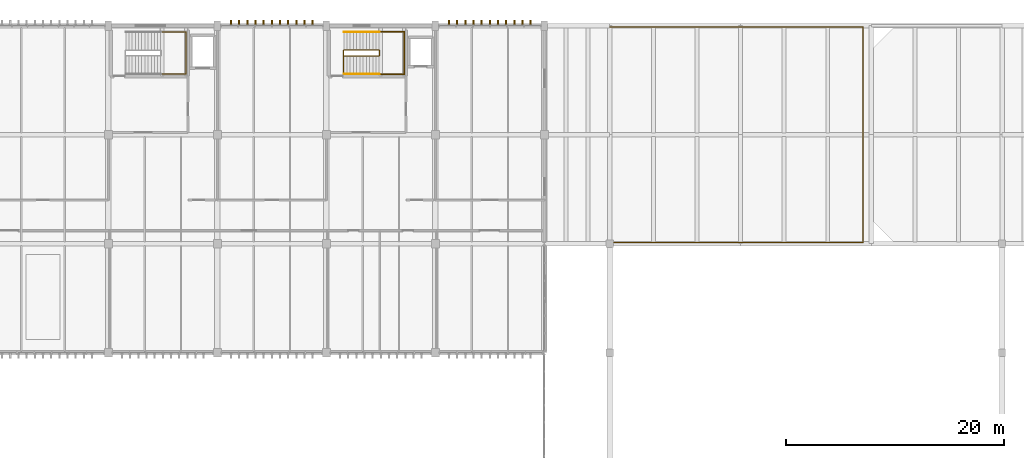
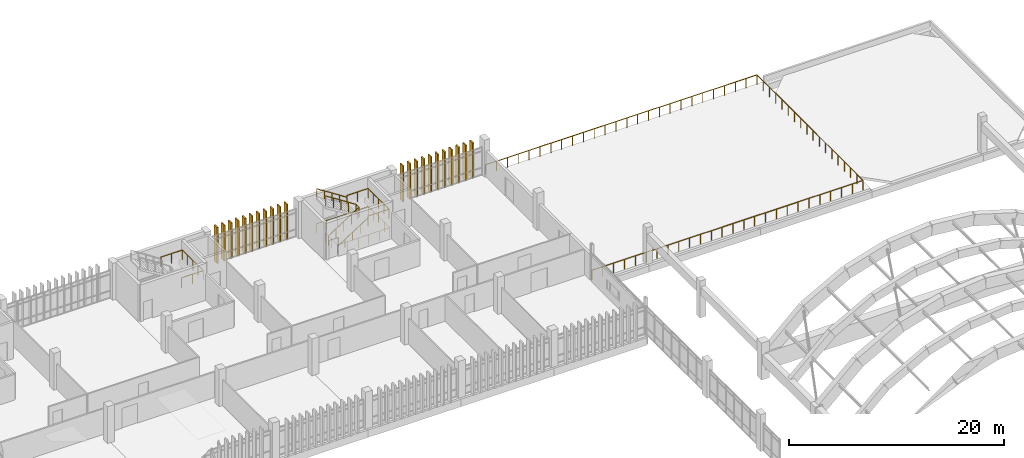
# One storey, part 111 of 111: 22 shading devices, 7 railings.
"""IFC4 building model written with IfcOpenShell, lengths in metres."""

from ifc_helpers import new_model, si_unit, direction, frame, origin, origin_2d, place, context, subcontext, project, spatial, rectangle, circle, extrude, material, type_object, element, save


model = new_model("IFC4")

# Units and contexts
model_context = context("Model", 3, precision=1e-05, world=origin(), true_north=direction((0.0, 1.0)))
body_context = subcontext(model_context, "Body", "Model", "MODEL_VIEW")
ifc_project = project(units=[si_unit("LENGTHUNIT", "METRE"), si_unit("AREAUNIT", "SQUARE_METRE"), si_unit("VOLUMEUNIT", "CUBIC_METRE"), si_unit("PLANEANGLEUNIT", "RADIAN"), si_unit("MASSUNIT", "GRAM", prefix="KILO")], contexts=[model_context])

# Site, building, storey
site_placement = place(None, origin())
site = spatial("IfcSite", under=ifc_project, at=site_placement, CompositionType="ELEMENT")
building_placement = place(site_placement, origin())
building = spatial("IfcBuilding", under=site, at=building_placement, Name="Mersad Railyard Sports Hall", CompositionType="ELEMENT")
storey_placement = place(building_placement, frame((0.0, 0.0, 9.0)))
storey = spatial("IfcBuildingStorey", under=building, at=storey_placement, Name="L02", CompositionType="ELEMENT", Elevation=9.0)

# Railings
ifc_material_1 = material(Name="Steel S355", Category="steel")
railing_type_1 = type_object("IfcRailingType", Name="ARC-RL-GR01", PredefinedType="GUARDRAIL", material=ifc_material_1)
railing_1_placement = place(storey_placement, frame((131.050048828125, 114.89990234375, 0.0)))
element("IfcRailing", 1, at=railing_1_placement, inside=storey, type_object=railing_type_1, Name="Perimeter guard GR01-0005", PredefinedType="GUARDRAIL", context=body_context, shape_type="SweptSolid", body=[
    extrude(circle(Radius=0.02392578125, at=origin_2d()), frame((0.0, 0.0, 1.09619140625), z_axis=(1.0, 0.0, 0.0), x_axis=(0.0, 1.0, 0.0)), (0.0, 0.0, 1.0), 29.199951171875),
    extrude(circle(Radius=0.02392578125, at=origin_2d()), frame((29.199951171875, 0.0, 1.09619140625), z_axis=(0.0, -1.0, 0.0), x_axis=(1.0, 0.0, 0.0)), (0.0, 0.0, 1.0), 19.7998046875),
    extrude(circle(Radius=0.02392578125, at=origin_2d()), frame((29.199951171875, -19.7998046875, 1.09619140625), z_axis=(-1.0, 0.0, 0.0), x_axis=(0.0, -1.0, 0.0)), (0.0, 0.0, 1.0), 29.199951171875),
    extrude(circle(Radius=0.02099609375, at=origin_2d()), origin(), (0.0, 0.0, 1.0), 1.072021484375),
    extrude(circle(Radius=0.02099609375, at=origin_2d()), frame((1.16796875, 0.0, 0.0)), (0.0, 0.0, 1.0), 1.072021484375),
    extrude(circle(Radius=0.02099609375, at=origin_2d()), frame((2.3359375, 0.0, 0.0)), (0.0, 0.0, 1.0), 1.072021484375),
    extrude(circle(Radius=0.02099609375, at=origin_2d()), frame((3.50390625, 0.0, 0.0)), (0.0, 0.0, 1.0), 1.072021484375),
    extrude(circle(Radius=0.02099609375, at=origin_2d()), frame((4.671875, 0.0, 0.0)), (0.0, 0.0, 1.0), 1.072021484375),
    extrude(circle(Radius=0.02099609375, at=origin_2d()), frame((5.840087890625, 0.0, 0.0)), (0.0, 0.0, 1.0), 1.072021484375),
    extrude(circle(Radius=0.02099609375, at=origin_2d()), frame((7.008056640625, 0.0, 0.0)), (0.0, 0.0, 1.0), 1.072021484375),
    extrude(circle(Radius=0.02099609375, at=origin_2d()), frame((8.176025390625, 0.0, 0.0)), (0.0, 0.0, 1.0), 1.072021484375),
    extrude(circle(Radius=0.02099609375, at=origin_2d()), frame((9.343994140625, 0.0, 0.0)), (0.0, 0.0, 1.0), 1.072021484375),
    extrude(circle(Radius=0.02099609375, at=origin_2d()), frame((10.511962890625, 0.0, 0.0)), (0.0, 0.0, 1.0), 1.072021484375),
    extrude(circle(Radius=0.02099609375, at=origin_2d()), frame((11.679931640625, 0.0, 0.0)), (0.0, 0.0, 1.0), 1.072021484375),
    extrude(circle(Radius=0.02099609375, at=origin_2d()), frame((12.847900390625, 0.0, 0.0)), (0.0, 0.0, 1.0), 1.072021484375),
    extrude(circle(Radius=0.02099609375, at=origin_2d()), frame((14.015869140625, 0.0, 0.0)), (0.0, 0.0, 1.0), 1.072021484375),
    extrude(circle(Radius=0.02099609375, at=origin_2d()), frame((15.18408203125, 0.0, 0.0)), (0.0, 0.0, 1.0), 1.072021484375),
    extrude(circle(Radius=0.02099609375, at=origin_2d()), frame((16.35205078125, 0.0, 0.0)), (0.0, 0.0, 1.0), 1.072021484375),
    extrude(circle(Radius=0.02099609375, at=origin_2d()), frame((17.52001953125, 0.0, 0.0)), (0.0, 0.0, 1.0), 1.072021484375),
    extrude(circle(Radius=0.02099609375, at=origin_2d()), frame((18.68798828125, 0.0, 0.0)), (0.0, 0.0, 1.0), 1.072021484375),
    extrude(circle(Radius=0.02099609375, at=origin_2d()), frame((19.85595703125, 0.0, 0.0)), (0.0, 0.0, 1.0), 1.072021484375),
    extrude(circle(Radius=0.02099609375, at=origin_2d()), frame((21.02392578125, 0.0, 0.0)), (0.0, 0.0, 1.0), 1.072021484375),
    extrude(circle(Radius=0.02099609375, at=origin_2d()), frame((22.19189453125, 0.0, 0.0)), (0.0, 0.0, 1.0), 1.072021484375),
    extrude(circle(Radius=0.02099609375, at=origin_2d()), frame((23.35986328125, 0.0, 0.0)), (0.0, 0.0, 1.0), 1.072021484375),
    extrude(circle(Radius=0.02099609375, at=origin_2d()), frame((24.528076171875, 0.0, 0.0)), (0.0, 0.0, 1.0), 1.072021484375),
    extrude(circle(Radius=0.02099609375, at=origin_2d()), frame((25.696044921875, 0.0, 0.0)), (0.0, 0.0, 1.0), 1.072021484375),
    extrude(circle(Radius=0.02099609375, at=origin_2d()), frame((26.864013671875, 0.0, 0.0)), (0.0, 0.0, 1.0), 1.072021484375),
    extrude(circle(Radius=0.02099609375, at=origin_2d()), frame((28.031982421875, 0.0, 0.0)), (0.0, 0.0, 1.0), 1.072021484375),
    extrude(circle(Radius=0.02099609375, at=origin_2d()), frame((29.199951171875, 0.0, 0.0)), (0.0, 0.0, 1.0), 1.072021484375),
    extrude(circle(Radius=0.02099609375, at=origin_2d()), frame((29.199951171875, -1.164794921875, 0.0)), (0.0, 0.0, 1.0), 1.072021484375),
    extrude(circle(Radius=0.02099609375, at=origin_2d()), frame((29.199951171875, -2.329345703125, 0.0)), (0.0, 0.0, 1.0), 1.072021484375),
    extrude(circle(Radius=0.02099609375, at=origin_2d()), frame((29.199951171875, -3.494140625, 0.0)), (0.0, 0.0, 1.0), 1.072021484375),
    extrude(circle(Radius=0.02099609375, at=origin_2d()), frame((29.199951171875, -4.65869140625, 0.0)), (0.0, 0.0, 1.0), 1.072021484375),
    extrude(circle(Radius=0.02099609375, at=origin_2d()), frame((29.199951171875, -5.823486328125, 0.0)), (0.0, 0.0, 1.0), 1.072021484375),
    extrude(circle(Radius=0.02099609375, at=origin_2d()), frame((29.199951171875, -6.98828125, 0.0)), (0.0, 0.0, 1.0), 1.072021484375),
    extrude(circle(Radius=0.02099609375, at=origin_2d()), frame((29.199951171875, -8.15283203125, 0.0)), (0.0, 0.0, 1.0), 1.072021484375),
    extrude(circle(Radius=0.02099609375, at=origin_2d()), frame((29.199951171875, -9.317626953125, 0.0)), (0.0, 0.0, 1.0), 1.072021484375),
    extrude(circle(Radius=0.02099609375, at=origin_2d()), frame((29.199951171875, -10.482177734375, 0.0)), (0.0, 0.0, 1.0), 1.072021484375),
    extrude(circle(Radius=0.02099609375, at=origin_2d()), frame((29.199951171875, -11.64697265625, 0.0)), (0.0, 0.0, 1.0), 1.072021484375),
    extrude(circle(Radius=0.02099609375, at=origin_2d()), frame((29.199951171875, -12.8115234375, 0.0)), (0.0, 0.0, 1.0), 1.072021484375),
    extrude(circle(Radius=0.02099609375, at=origin_2d()), frame((29.199951171875, -13.976318359375, 0.0)), (0.0, 0.0, 1.0), 1.072021484375),
    extrude(circle(Radius=0.02099609375, at=origin_2d()), frame((29.199951171875, -15.14111328125, 0.0)), (0.0, 0.0, 1.0), 1.072021484375),
    extrude(circle(Radius=0.02099609375, at=origin_2d()), frame((29.199951171875, -16.3056640625, 0.0)), (0.0, 0.0, 1.0), 1.072021484375),
    extrude(circle(Radius=0.02099609375, at=origin_2d()), frame((29.199951171875, -17.470458984375, 0.0)), (0.0, 0.0, 1.0), 1.072021484375),
    extrude(circle(Radius=0.02099609375, at=origin_2d()), frame((29.199951171875, -18.635009765625, 0.0)), (0.0, 0.0, 1.0), 1.072021484375),
    extrude(circle(Radius=0.02099609375, at=origin_2d()), frame((29.199951171875, -19.7998046875, 0.0)), (0.0, 0.0, 1.0), 1.072021484375),
    extrude(circle(Radius=0.02099609375, at=origin_2d()), frame((28.031982421875, -19.7998046875, 0.0)), (0.0, 0.0, 1.0), 1.072021484375),
    extrude(circle(Radius=0.02099609375, at=origin_2d()), frame((26.864013671875, -19.7998046875, 0.0)), (0.0, 0.0, 1.0), 1.072021484375),
    extrude(circle(Radius=0.02099609375, at=origin_2d()), frame((25.696044921875, -19.7998046875, 0.0)), (0.0, 0.0, 1.0), 1.072021484375),
    extrude(circle(Radius=0.02099609375, at=origin_2d()), frame((24.528076171875, -19.7998046875, 0.0)), (0.0, 0.0, 1.0), 1.072021484375),
    extrude(circle(Radius=0.02099609375, at=origin_2d()), frame((23.35986328125, -19.7998046875, 0.0)), (0.0, 0.0, 1.0), 1.072021484375),
    extrude(circle(Radius=0.02099609375, at=origin_2d()), frame((22.19189453125, -19.7998046875, 0.0)), (0.0, 0.0, 1.0), 1.072021484375),
    extrude(circle(Radius=0.02099609375, at=origin_2d()), frame((21.02392578125, -19.7998046875, 0.0)), (0.0, 0.0, 1.0), 1.072021484375),
    extrude(circle(Radius=0.02099609375, at=origin_2d()), frame((19.85595703125, -19.7998046875, 0.0)), (0.0, 0.0, 1.0), 1.072021484375),
    extrude(circle(Radius=0.02099609375, at=origin_2d()), frame((18.68798828125, -19.7998046875, 0.0)), (0.0, 0.0, 1.0), 1.072021484375),
    extrude(circle(Radius=0.02099609375, at=origin_2d()), frame((17.52001953125, -19.7998046875, 0.0)), (0.0, 0.0, 1.0), 1.072021484375),
    extrude(circle(Radius=0.02099609375, at=origin_2d()), frame((16.35205078125, -19.7998046875, 0.0)), (0.0, 0.0, 1.0), 1.072021484375),
    extrude(circle(Radius=0.02099609375, at=origin_2d()), frame((15.18408203125, -19.7998046875, 0.0)), (0.0, 0.0, 1.0), 1.072021484375),
    extrude(circle(Radius=0.02099609375, at=origin_2d()), frame((14.015869140625, -19.7998046875, 0.0)), (0.0, 0.0, 1.0), 1.072021484375),
    extrude(circle(Radius=0.02099609375, at=origin_2d()), frame((12.847900390625, -19.7998046875, 0.0)), (0.0, 0.0, 1.0), 1.072021484375),
    extrude(circle(Radius=0.02099609375, at=origin_2d()), frame((11.679931640625, -19.7998046875, 0.0)), (0.0, 0.0, 1.0), 1.072021484375),
    extrude(circle(Radius=0.02099609375, at=origin_2d()), frame((10.511962890625, -19.7998046875, 0.0)), (0.0, 0.0, 1.0), 1.072021484375),
    extrude(circle(Radius=0.02099609375, at=origin_2d()), frame((9.343994140625, -19.7998046875, 0.0)), (0.0, 0.0, 1.0), 1.072021484375),
    extrude(circle(Radius=0.02099609375, at=origin_2d()), frame((8.176025390625, -19.7998046875, 0.0)), (0.0, 0.0, 1.0), 1.072021484375),
    extrude(circle(Radius=0.02099609375, at=origin_2d()), frame((7.008056640625, -19.7998046875, 0.0)), (0.0, 0.0, 1.0), 1.072021484375),
    extrude(circle(Radius=0.02099609375, at=origin_2d()), frame((5.840087890625, -19.7998046875, 0.0)), (0.0, 0.0, 1.0), 1.072021484375),
    extrude(circle(Radius=0.02099609375, at=origin_2d()), frame((4.671875, -19.7998046875, 0.0)), (0.0, 0.0, 1.0), 1.072021484375),
    extrude(circle(Radius=0.02099609375, at=origin_2d()), frame((3.50390625, -19.7998046875, 0.0)), (0.0, 0.0, 1.0), 1.072021484375),
    extrude(circle(Radius=0.02099609375, at=origin_2d()), frame((2.3359375, -19.7998046875, 0.0)), (0.0, 0.0, 1.0), 1.072021484375),
    extrude(circle(Radius=0.02099609375, at=origin_2d()), frame((1.16796875, -19.7998046875, 0.0)), (0.0, 0.0, 1.0), 1.072021484375),
    extrude(circle(Radius=0.02099609375, at=origin_2d()), frame((0.0, -19.7998046875, 0.0)), (0.0, 0.0, 1.0), 1.072021484375),
])
railing_2_placement = place(storey_placement, frame((95.81201171875, 110.56005859375, 2.10009765625)))
element("IfcRailing", 2, at=railing_2_placement, inside=storey, type_object=railing_type_1, Name="Interior guard GR01-0049", PredefinedType="GUARDRAIL", context=body_context, shape_type="SweptSolid", body=[
    extrude(circle(Radius=0.02392578125, at=origin_2d()), frame((0.0, 0.0, 1.09619140625), z_axis=(1.0, 0.0, 0.0), x_axis=(0.0, 1.0, 0.0)), (0.0, 0.0, 1.0), 2.327880859375),
    extrude(circle(Radius=0.02392578125, at=origin_2d()), frame((2.327880859375, 0.0, 1.09619140625), z_axis=(0.0, 1.0, 0.0), x_axis=(-1.0, 0.0, 0.0)), (0.0, 0.0, 1.0), 3.8798828125),
    extrude(circle(Radius=0.02392578125, at=origin_2d()), frame((2.327880859375, 3.8798828125, 1.09619140625), z_axis=(-1.0, 0.0, 0.0), x_axis=(0.0, -1.0, 0.0)), (0.0, 0.0, 1.0), 2.327880859375),
    extrude(circle(Radius=0.02099609375, at=origin_2d()), origin(), (0.0, 0.0, 1.0), 1.072021484375),
    extrude(circle(Radius=0.02099609375, at=origin_2d()), frame((1.1640625, 0.0, 0.0)), (0.0, 0.0, 1.0), 1.072021484375),
    extrude(circle(Radius=0.02099609375, at=origin_2d()), frame((2.327880859375, 0.0, 0.0)), (0.0, 0.0, 1.0), 1.072021484375),
    extrude(circle(Radius=0.02099609375, at=origin_2d()), frame((2.327880859375, 0.969970703125, 0.0)), (0.0, 0.0, 1.0), 1.072021484375),
    extrude(circle(Radius=0.02099609375, at=origin_2d()), frame((2.327880859375, 1.93994140625, 0.0)), (0.0, 0.0, 1.0), 1.072021484375),
    extrude(circle(Radius=0.02099609375, at=origin_2d()), frame((2.327880859375, 2.909912109375, 0.0)), (0.0, 0.0, 1.0), 1.072021484375),
    extrude(circle(Radius=0.02099609375, at=origin_2d()), frame((2.327880859375, 3.8798828125, 0.0)), (0.0, 0.0, 1.0), 1.072021484375),
    extrude(circle(Radius=0.02099609375, at=origin_2d()), frame((1.1640625, 3.8798828125, 0.0)), (0.0, 0.0, 1.0), 1.072021484375),
    extrude(circle(Radius=0.02099609375, at=origin_2d()), frame((0.0, 3.8798828125, 0.0)), (0.0, 0.0, 1.0), 1.072021484375),
])
railing_3_placement = place(storey_placement, frame((112.56005859375, 112.75, 0.0)))
element("IfcRailing", 3, at=railing_3_placement, inside=storey, type_object=railing_type_1, Name="Interior guard GR01-0075", PredefinedType="GUARDRAIL", context=body_context, shape_type="SweptSolid", body=[
    extrude(circle(Radius=0.02392578125, at=origin_2d()), frame((0.0, 0.0, 1.09619140625), z_axis=(0.0, -1.0, 0.0), x_axis=(1.0, 0.0, 0.0)), (0.0, 0.0, 1.0), 2.22998046875),
    extrude(circle(Radius=0.02392578125, at=origin_2d()), frame((0.0, -2.22998046875, 1.09619140625), z_axis=(1.0, 0.0, 0.0), x_axis=(0.0, 1.0, 0.0)), (0.0, 0.0, 1.0), 5.619873046875),
    extrude(circle(Radius=0.02392578125, at=origin_2d()), frame((5.619873046875, -2.22998046875, 1.09619140625), z_axis=(0.0, 1.0, 0.0), x_axis=(-1.0, 0.0, 0.0)), (0.0, 0.0, 1.0), 3.9599609375),
    extrude(circle(Radius=0.02392578125, at=origin_2d()), frame((5.619873046875, 1.72998046875, 1.09619140625), z_axis=(-1.0, 0.0, 0.0), x_axis=(0.0, -1.0, 0.0)), (0.0, 0.0, 1.0), 5.619873046875),
    extrude(circle(Radius=0.02099609375, at=origin_2d()), origin(), (0.0, 0.0, 1.0), 1.072021484375),
    extrude(circle(Radius=0.02099609375, at=origin_2d()), frame((0.0, -1.114990234375, 0.0)), (0.0, 0.0, 1.0), 1.072021484375),
    extrude(circle(Radius=0.02099609375, at=origin_2d()), frame((0.0, -2.22998046875, 0.0)), (0.0, 0.0, 1.0), 1.072021484375),
    extrude(circle(Radius=0.02099609375, at=origin_2d()), frame((1.1240234375, -2.22998046875, 0.0)), (0.0, 0.0, 1.0), 1.072021484375),
    extrude(circle(Radius=0.02099609375, at=origin_2d()), frame((2.248046875, -2.22998046875, 0.0)), (0.0, 0.0, 1.0), 1.072021484375),
    extrude(circle(Radius=0.02099609375, at=origin_2d()), frame((3.371826171875, -2.22998046875, 0.0)), (0.0, 0.0, 1.0), 1.072021484375),
    extrude(circle(Radius=0.02099609375, at=origin_2d()), frame((4.495849609375, -2.22998046875, 0.0)), (0.0, 0.0, 1.0), 1.072021484375),
    extrude(circle(Radius=0.02099609375, at=origin_2d()), frame((5.619873046875, -2.22998046875, 0.0)), (0.0, 0.0, 1.0), 1.072021484375),
    extrude(circle(Radius=0.02099609375, at=origin_2d()), frame((5.619873046875, -1.239990234375, 0.0)), (0.0, 0.0, 1.0), 1.072021484375),
    extrude(circle(Radius=0.02099609375, at=origin_2d()), frame((5.619873046875, -0.25, 0.0)), (0.0, 0.0, 1.0), 1.072021484375),
    extrude(circle(Radius=0.02099609375, at=origin_2d()), frame((5.619873046875, 0.739990234375, 0.0)), (0.0, 0.0, 1.0), 1.072021484375),
    extrude(circle(Radius=0.02099609375, at=origin_2d()), frame((5.619873046875, 1.72998046875, 0.0)), (0.0, 0.0, 1.0), 1.072021484375),
    extrude(circle(Radius=0.02099609375, at=origin_2d()), frame((4.495849609375, 1.72998046875, 0.0)), (0.0, 0.0, 1.0), 1.072021484375),
    extrude(circle(Radius=0.02099609375, at=origin_2d()), frame((3.371826171875, 1.72998046875, 0.0)), (0.0, 0.0, 1.0), 1.072021484375),
    extrude(circle(Radius=0.02099609375, at=origin_2d()), frame((2.248046875, 1.72998046875, 0.0)), (0.0, 0.0, 1.0), 1.072021484375),
    extrude(circle(Radius=0.02099609375, at=origin_2d()), frame((1.1240234375, 1.72998046875, 0.0)), (0.0, 0.0, 1.0), 1.072021484375),
    extrude(circle(Radius=0.02099609375, at=origin_2d()), frame((0.0, 1.72998046875, 0.0)), (0.0, 0.0, 1.0), 1.072021484375),
])
railing_4_placement = place(storey_placement, frame((112.60009765625, 112.22998046875, 0.0)))
element("IfcRailing", 4, at=railing_4_placement, inside=storey, type_object=railing_type_1, Name="Interior guard GR01-0078", PredefinedType="GUARDRAIL", context=body_context, shape_type="SweptSolid", body=[
    extrude(circle(Radius=0.02392578125, at=origin_2d()), frame((0.0, 0.0, 1.09619140625), z_axis=(0.840350351567, 0.0, 0.542043620589), x_axis=(0.0, 1.0, 0.0)), (0.0, 0.0, 1.0), 3.87451171875),
    extrude(circle(Radius=0.02392578125, at=origin_2d()), frame((3.255859375, 0.0, 3.1962890625), z_axis=(0.0, 1.0, 0.0), x_axis=(-1.0, 0.0, 0.0)), (0.0, 0.0, 1.0), 0.5400390625),
    extrude(circle(Radius=0.02392578125, at=origin_2d()), frame((3.255859375, 0.5400390625, 3.1962890625), z_axis=(-0.84037905451, 0.0, 0.541999118764), x_axis=(0.0, -1.0, 0.0)), (0.0, 0.0, 1.0), 3.874267578125),
    extrude(circle(Radius=0.02099609375, at=origin_2d()), origin(), (0.0, 0.0, 1.0), 1.072021484375),
    extrude(circle(Radius=0.02099609375, at=origin_2d()), frame((0.81396484375, 0.0, 0.52490234375)), (0.0, 0.0, 1.0), 1.072021484375),
    extrude(circle(Radius=0.02099609375, at=origin_2d()), frame((1.6279296875, 0.0, 1.050048828125)), (0.0, 0.0, 1.0), 1.072021484375),
    extrude(circle(Radius=0.02099609375, at=origin_2d()), frame((2.44189453125, 0.0, 1.5751953125)), (0.0, 0.0, 1.0), 1.072021484375),
    extrude(circle(Radius=0.02099609375, at=origin_2d()), frame((3.255859375, 0.0, 2.10009765625)), (0.0, 0.0, 1.0), 1.072021484375),
    extrude(circle(Radius=0.02099609375, at=origin_2d()), frame((3.255859375, 0.5400390625, 2.10009765625)), (0.0, 0.0, 1.0), 1.072021484375),
    extrude(circle(Radius=0.02099609375, at=origin_2d()), frame((2.44189453125, 0.5400390625, 2.625)), (0.0, 0.0, 1.0), 1.072021484375),
    extrude(circle(Radius=0.02099609375, at=origin_2d()), frame((1.6279296875, 0.5400390625, 3.14990234375)), (0.0, 0.0, 1.0), 1.072021484375),
    extrude(circle(Radius=0.02099609375, at=origin_2d()), frame((0.81396484375, 0.5400390625, 3.675048828125)), (0.0, 0.0, 1.0), 1.072021484375),
    extrude(circle(Radius=0.02099609375, at=origin_2d()), frame((0.0, 0.5400390625, 4.199951171875)), (0.0, 0.0, 1.0), 1.072021484375),
])
railing_5_placement = place(storey_placement, frame((115.85595703125, 110.56005859375, 2.10009765625)))
element("IfcRailing", 5, at=railing_5_placement, inside=storey, type_object=railing_type_1, Name="Interior guard GR01-0079", PredefinedType="GUARDRAIL", context=body_context, shape_type="SweptSolid", body=[
    extrude(circle(Radius=0.02392578125, at=origin_2d()), frame((0.0, 0.0, 1.09619140625), z_axis=(1.0, 0.0, 0.0), x_axis=(0.0, 1.0, 0.0)), (0.0, 0.0, 1.0), 2.283935546875),
    extrude(circle(Radius=0.02392578125, at=origin_2d()), frame((2.283935546875, 0.0, 1.09619140625), z_axis=(0.0, 1.0, 0.0), x_axis=(-1.0, 0.0, 0.0)), (0.0, 0.0, 1.0), 3.8798828125),
    extrude(circle(Radius=0.02392578125, at=origin_2d()), frame((2.283935546875, 3.8798828125, 1.09619140625), z_axis=(-1.0, 0.0, 0.0), x_axis=(0.0, -1.0, 0.0)), (0.0, 0.0, 1.0), 2.283935546875),
    extrude(circle(Radius=0.02099609375, at=origin_2d()), origin(), (0.0, 0.0, 1.0), 1.072021484375),
    extrude(circle(Radius=0.02099609375, at=origin_2d()), frame((1.14208984375, 0.0, 0.0)), (0.0, 0.0, 1.0), 1.072021484375),
    extrude(circle(Radius=0.02099609375, at=origin_2d()), frame((2.283935546875, 0.0, 0.0)), (0.0, 0.0, 1.0), 1.072021484375),
    extrude(circle(Radius=0.02099609375, at=origin_2d()), frame((2.283935546875, 0.969970703125, 0.0)), (0.0, 0.0, 1.0), 1.072021484375),
    extrude(circle(Radius=0.02099609375, at=origin_2d()), frame((2.283935546875, 1.93994140625, 0.0)), (0.0, 0.0, 1.0), 1.072021484375),
    extrude(circle(Radius=0.02099609375, at=origin_2d()), frame((2.283935546875, 2.909912109375, 0.0)), (0.0, 0.0, 1.0), 1.072021484375),
    extrude(circle(Radius=0.02099609375, at=origin_2d()), frame((2.283935546875, 3.8798828125, 0.0)), (0.0, 0.0, 1.0), 1.072021484375),
    extrude(circle(Radius=0.02099609375, at=origin_2d()), frame((1.14208984375, 3.8798828125, 0.0)), (0.0, 0.0, 1.0), 1.072021484375),
    extrude(circle(Radius=0.02099609375, at=origin_2d()), frame((0.0, 3.8798828125, 0.0)), (0.0, 0.0, 1.0), 1.072021484375),
])
railing_type_2 = type_object("IfcRailingType", Name="ARC-RL-HR01", PredefinedType="HANDRAIL", material=ifc_material_1)
railing_6_placement = place(storey_placement, frame((112.60009765625, 110.56005859375, 0.0)))
element("IfcRailing", 6, at=railing_6_placement, inside=storey, type_object=railing_type_2, Name="Interior handrail HR01-0076", PredefinedType="HANDRAIL", context=body_context, shape_type="SweptSolid", body=[
    extrude(circle(Radius=0.02392578125, at=origin_2d()), frame((0.0, 0.0, 0.89599609375), z_axis=(0.840350351567, 0.0, 0.542043620589), x_axis=(0.0, 1.0, 0.0)), (0.0, 0.0, 1.0), 3.87451171875),
    extrude(circle(Radius=0.02099609375, at=origin_2d()), origin(), (0.0, 0.0, 1.0), 0.871826171875),
    extrude(circle(Radius=0.02099609375, at=origin_2d()), frame((0.81396484375, 0.0, 0.52490234375)), (0.0, 0.0, 1.0), 0.871826171875),
    extrude(circle(Radius=0.02099609375, at=origin_2d()), frame((1.6279296875, 0.0, 1.050048828125)), (0.0, 0.0, 1.0), 0.871826171875),
    extrude(circle(Radius=0.02099609375, at=origin_2d()), frame((2.44189453125, 0.0, 1.5751953125)), (0.0, 0.0, 1.0), 0.871826171875),
    extrude(circle(Radius=0.02099609375, at=origin_2d()), frame((3.255859375, 0.0, 2.10009765625)), (0.0, 0.0, 1.0), 0.871826171875),
])
railing_7_placement = place(storey_placement, frame((115.85595703125, 114.43994140625, 2.10009765625)))
element("IfcRailing", 7, at=railing_7_placement, inside=storey, type_object=railing_type_2, Name="Interior handrail HR01-0077", PredefinedType="HANDRAIL", context=body_context, shape_type="SweptSolid", body=[
    extrude(circle(Radius=0.02392578125, at=origin_2d()), frame((0.0, 0.0, 0.89599609375), z_axis=(-0.84037905451, 0.0, 0.541999118764), x_axis=(0.0, -1.0, 0.0)), (0.0, 0.0, 1.0), 3.874267578125),
    extrude(circle(Radius=0.02099609375, at=origin_2d()), origin(), (0.0, 0.0, 1.0), 0.871826171875),
    extrude(circle(Radius=0.02099609375, at=origin_2d()), frame((-0.81396484375, 0.0, 0.52490234375)), (0.0, 0.0, 1.0), 0.871826171875),
    extrude(circle(Radius=0.02099609375, at=origin_2d()), frame((-1.6279296875, 0.0, 1.0498046875)), (0.0, 0.0, 1.0), 0.871826171875),
    extrude(circle(Radius=0.02099609375, at=origin_2d()), frame((-2.44189453125, 0.0, 1.574951171875)), (0.0, 0.0, 1.0), 0.871826171875),
    extrude(circle(Radius=0.02099609375, at=origin_2d()), frame((-3.255859375, 0.0, 2.099853515625)), (0.0, 0.0, 1.0), 0.871826171875),
])

# Shading devices
ifc_material_2 = material(Name="Precast concrete C45/55", Category="concrete")
shading_device_type = type_object("IfcShadingDeviceType", Name="ARC-SH-FN01", PredefinedType="USERDEFINED", material=ifc_material_2)
for number, where, z_axis, x_axis, name in (
    (8, (102.25, 115.25, -0.10009765625), (0.0, 0.0, 1.0), (1.0, 0.0, 0.0), "Precast sun fin FN01-0363"),
    (9, (103.0, 115.25, -0.10009765625), (0.0, 0.0, 1.0), (1.0, 0.0, 0.0), "Precast sun fin FN01-0364"),
    (10, (103.75, 115.25, -0.10009765625), (0.0, 0.0, 1.0), (1.0, 0.0, 0.0), "Precast sun fin FN01-0365"),
    (11, (104.5, 115.25, -0.10009765625), (0.0, 0.0, 1.0), (1.0, 0.0, 0.0), "Precast sun fin FN01-0366"),
    (12, (105.25, 115.25, -0.10009765625), (0.0, 0.0, 1.0), (1.0, 0.0, 0.0), "Precast sun fin FN01-0367"),
    (13, (106.0, 115.25, -0.10009765625), (0.0, 0.0, 1.0), (1.0, 0.0, 0.0), "Precast sun fin FN01-0368"),
    (14, (106.75, 115.25, -0.10009765625), (0.0, 0.0, 1.0), (1.0, 0.0, 0.0), "Precast sun fin FN01-0369"),
    (15, (107.5, 115.25, -0.10009765625), (0.0, 0.0, 1.0), (1.0, 0.0, 0.0), "Precast sun fin FN01-0370"),
    (16, (108.25, 115.25, -0.10009765625), (0.0, 0.0, 1.0), (1.0, 0.0, 0.0), "Precast sun fin FN01-0371"),
    (17, (109.0, 115.25, -0.10009765625), (0.0, 0.0, 1.0), (1.0, 0.0, 0.0), "Precast sun fin FN01-0372"),
    (18, (109.75, 115.25, -0.10009765625), (0.0, 0.0, 1.0), (1.0, 0.0, 0.0), "Precast sun fin FN01-0373"),
    (19, (122.25, 115.25, -0.10009765625), (0.0, 0.0, 1.0), (1.0, 0.0, 0.0), "Precast sun fin FN01-0374"),
    (20, (123.0, 115.25, -0.10009765625), (0.0, 0.0, 1.0), (1.0, 0.0, 0.0), "Precast sun fin FN01-0375"),
    (21, (123.75, 115.25, -0.10009765625), (0.0, 0.0, 1.0), (1.0, 0.0, 0.0), "Precast sun fin FN01-0376"),
    (22, (124.5, 115.25, -0.10009765625), (0.0, 0.0, 1.0), (1.0, 0.0, 0.0), "Precast sun fin FN01-0377"),
    (23, (125.25, 115.25, -0.10009765625), (0.0, 0.0, 1.0), (1.0, 0.0, 0.0), "Precast sun fin FN01-0378"),
    (24, (126.0, 115.25, -0.10009765625), (0.0, 0.0, 1.0), (1.0, 0.0, 0.0), "Precast sun fin FN01-0379"),
    (25, (126.75, 115.25, -0.10009765625), (0.0, 0.0, 1.0), (1.0, 0.0, 0.0), "Precast sun fin FN01-0380"),
    (26, (127.5, 115.25, -0.10009765625), (0.0, 0.0, 1.0), (1.0, 0.0, 0.0), "Precast sun fin FN01-0381"),
    (27, (128.25, 115.25, -0.10009765625), (0.0, 0.0, 1.0), (1.0, 0.0, 0.0), "Precast sun fin FN01-0382"),
    (28, (129.0, 115.25, -0.10009765625), (0.0, 0.0, 1.0), (1.0, 0.0, 0.0), "Precast sun fin FN01-0383"),
    (29, (129.75, 115.25, -0.10009765625), (0.0, 0.0, 1.0), (1.0, 0.0, 0.0), "Precast sun fin FN01-0384"),
):
    element("IfcShadingDevice", number, at=place(storey_placement, frame(where, z_axis=z_axis, x_axis=x_axis)), inside=storey, type_object=shading_device_type, Name=name, ObjectType="FIN", PredefinedType="USERDEFINED", context=body_context, shape_type="SweptSolid", body=[
        extrude(rectangle(XDim=0.139892578125, YDim=0.550048828125, at=origin_2d()), origin(), (0.0, 0.0, 1.0), 4.080078125),
    ])

save(model, "model.ifc")
